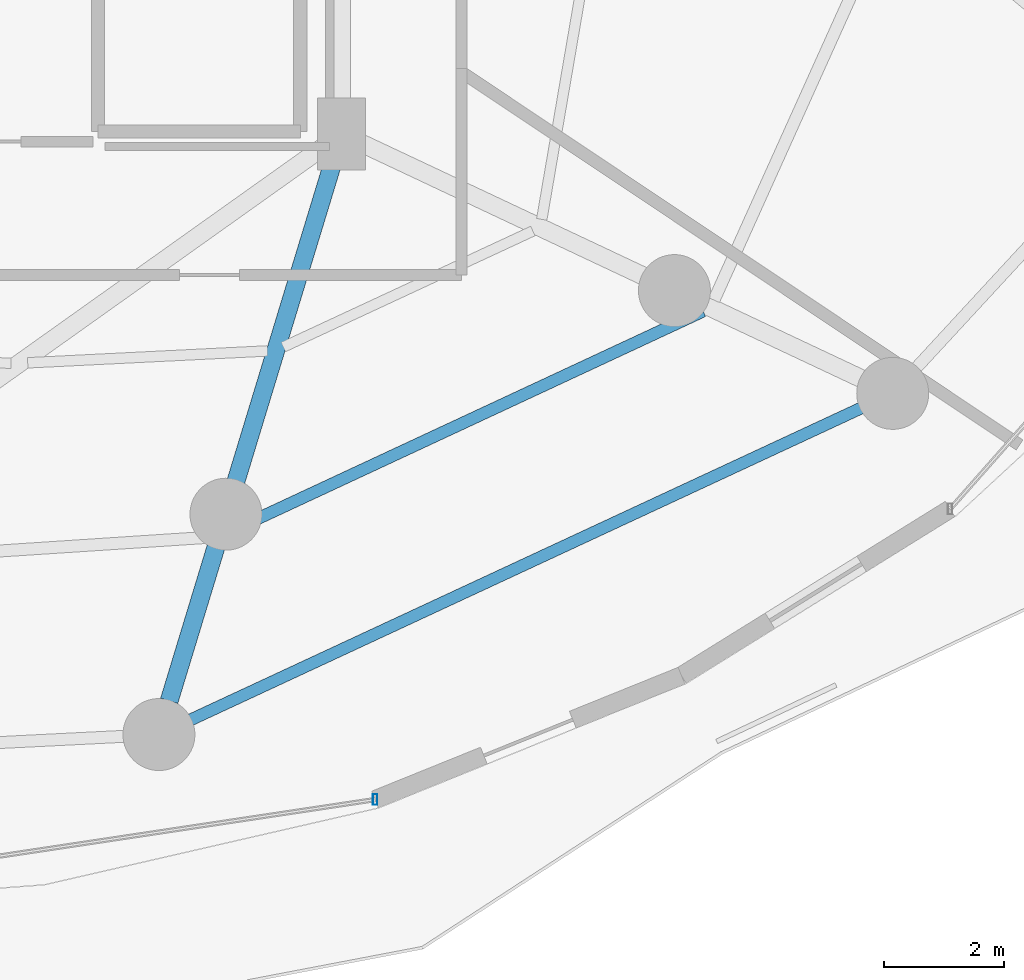
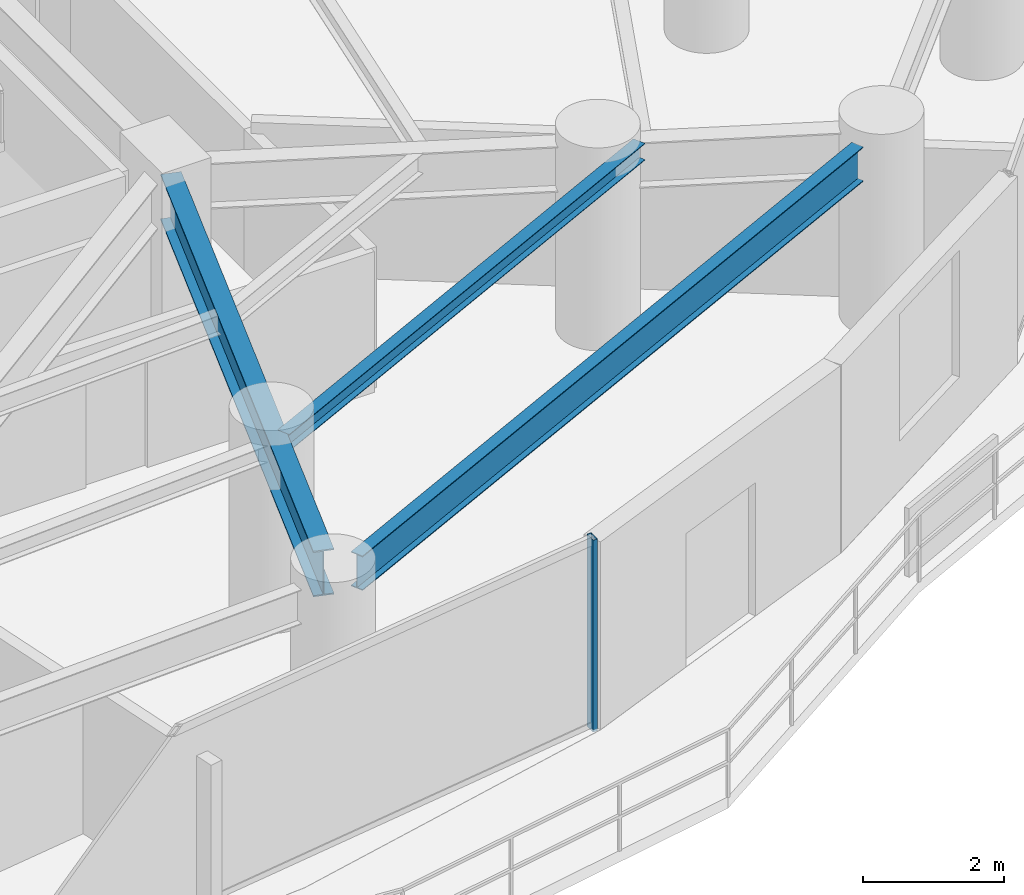
# One storey, part 12 of 34: 3 beams, 1 member, 1 element without a shape of its own.
"""IFC4 building model written with IfcOpenShell, lengths in metres."""

import ifcopenshell
import ifcopenshell.guid

model = None  # the IFC model being written
_history = None  # IfcOwnerHistory: only IFC2X3 demands one
_inside = {}  # id of a spatial element -> (the spatial element, [elements in it])
_under = {}  # id of a project, library or spatial element -> (it, [spatial elements below it])
_declared = {}  # id of a project -> (the project, [libraries it declares])
_typed = {}  # id of a type object -> (the type object, [elements of that type])
_made_of = {}  # id of a material, layer set ... -> (it, [elements and type objects made of it])


def new_model(schema):
    """Start an empty IFC model of exactly this schema.

    Asked for "IFC4X3", IfcOpenShell would pick the latest addendum, in which some entities
    have other attributes; the version numbers below select the first issue.
    IFC2X3 requires an IfcOwnerHistory on every rooted entity: one is made here for all.
    """
    global model, _history
    if schema == "IFC4X3":
        model = ifcopenshell.file(schema_version=(4, 3, 0, 0))
    else:
        model = ifcopenshell.file(schema=schema)
    _inside.clear()
    _under.clear()
    _declared.clear()
    _typed.clear()
    _made_of.clear()
    _history = None
    if model.schema == "IFC2X3":
        org = make("IfcOrganization", Name="unknown")
        user = make(
            "IfcPersonAndOrganization",
            ThePerson=make("IfcPerson", FamilyName="unknown"),
            TheOrganization=org,
        )
        app = make(
            "IfcApplication",
            ApplicationDeveloper=org,
            Version="unknown",
            ApplicationFullName="unknown",
            ApplicationIdentifier="unknown",
        )
        _history = make(
            "IfcOwnerHistory",
            OwningUser=user,
            OwningApplication=app,
            ChangeAction="ADDED",
            CreationDate=0,
        )
    return model


def make(cls, **values):
    """One entity of the class cls with the attributes given. An attribute that is None is left unset."""
    return model.create_entity(
        cls, **{name: value for name, value in values.items() if value is not None}
    )


def rooted(cls, **values):
    """An entity with a GlobalId (a new one), such as an element, a storey or a relation."""
    return make(cls, GlobalId=ifcopenshell.guid.new(), OwnerHistory=_history, **values)


def si_unit(unit_type, name, prefix=None):
    """IfcSIUnit, for example si_unit("LENGTHUNIT", "METRE", prefix="MILLI")."""
    return make("IfcSIUnit", UnitType=unit_type, Prefix=prefix, Name=name)


def assignment(units):
    """IfcUnitAssignment: the units of a project."""
    return None if units is None else make("IfcUnitAssignment", Units=units)


def point(xyz):
    """IfcCartesianPoint."""
    return None if xyz is None else make("IfcCartesianPoint", Coordinates=xyz)


def direction(xyz):
    """IfcDirection."""
    return None if xyz is None else make("IfcDirection", DirectionRatios=xyz)


def frame(location, z_axis=None, x_axis=None):
    """IfcAxis2Placement3D, a coordinate frame: its origin and axes. An axis left out is left unset."""
    return make(
        "IfcAxis2Placement3D",
        Location=point(location),
        Axis=direction(z_axis),
        RefDirection=direction(x_axis),
    )


def frame_2d(location, x_axis=None):
    """IfcAxis2Placement2D, a coordinate frame in the plane: its origin and x axis."""
    return make(
        "IfcAxis2Placement2D", Location=point(location), RefDirection=direction(x_axis)
    )


def origin():
    """The frame at (0, 0, 0) with its axes left unset."""
    return frame((0.0, 0.0, 0.0))


def origin_2d():
    """The frame at (0, 0) in the plane with its x axis left unset."""
    return frame_2d((0.0, 0.0))


def place(relative_to, where):
    """IfcLocalPlacement: puts the frame where relative to a parent placement (None: the world)."""
    return make(
        "IfcLocalPlacement", PlacementRelTo=relative_to, RelativePlacement=where
    )


def context(
    kind, dimensions, precision=None, world=None, true_north=None, identifier=None
):
    """IfcGeometricRepresentationContext, for example the 3D "Model" context."""
    return make(
        "IfcGeometricRepresentationContext",
        ContextIdentifier=identifier,
        ContextType=kind,
        CoordinateSpaceDimension=dimensions,
        Precision=precision,
        WorldCoordinateSystem=world,
        TrueNorth=true_north,
    )


def subcontext(parent, identifier, kind, view, scale=None):
    """IfcGeometricRepresentationSubContext, for example "Body" below "Model"."""
    return make(
        "IfcGeometricRepresentationSubContext",
        ContextIdentifier=identifier,
        ContextType=kind,
        ParentContext=parent,
        TargetScale=scale,
        TargetView=view,
    )


def project(units=None, contexts=None):
    """IfcProject with its units and contexts."""
    return rooted(
        "IfcProject",
        Name="project",
        RepresentationContexts=contexts,
        UnitsInContext=assignment(units),
    )


def spatial(cls, under=None, at=None, **own):
    """A site, building, storey or space (cls), placed at a placement, below another one or the project."""
    s = rooted(cls, ObjectPlacement=at, **own)
    if under is not None:
        _under.setdefault(under.id(), (under, []))[1].append(s)
    return s


def profile(cls, at=None, kind="AREA", **sizes):
    """A parametric profile (cls). Its sizes go by their IFC names, for example OverallWidth=200.0."""
    return make(cls, ProfileType=kind, Position=at, **sizes)


def hollow_rectangle(**sizes):
    """IfcRectangleHollowProfileDef."""
    return profile("IfcRectangleHollowProfileDef", **sizes)


def i_section(**sizes):
    """IfcIShapeProfileDef."""
    return profile("IfcIShapeProfileDef", **sizes)


def extrude(swept, where, along, depth):
    """IfcExtrudedAreaSolid: the profile swept, set in the frame where, extruded along a direction by depth."""
    return make(
        "IfcExtrudedAreaSolid",
        SweptArea=swept,
        Position=where,
        ExtrudedDirection=direction(along),
        Depth=depth,
    )


def shape(context_of_items, identifier, shape_type, items):
    """IfcShapeRepresentation: the items that make up one representation, for example the "Body"."""
    return make(
        "IfcShapeRepresentation",
        ContextOfItems=context_of_items,
        RepresentationIdentifier=identifier,
        RepresentationType=shape_type,
        Items=items,
    )


def material(Name=None, Category=None):
    """IfcMaterial."""
    return make("IfcMaterial", Name=Name, Category=Category)


def material_profile(
    of_material, cross_section, Name=None, Category=None, Priority=None
):
    """IfcMaterialProfile: a cross section and its material."""
    return make(
        "IfcMaterialProfile",
        Name=Name,
        Material=of_material,
        Profile=cross_section,
        Priority=Priority,
        Category=Category,
    )


def profile_set(profiles, Name=None, composite=None):
    """IfcMaterialProfileSet."""
    return make(
        "IfcMaterialProfileSet",
        Name=Name,
        MaterialProfiles=profiles,
        CompositeProfile=composite,
    )


def made_of(thing, what):
    """Note that an element or type object is made of a material, layer set ...; save() writes the relation."""
    if what is not None:
        _made_of.setdefault(what.id(), (what, []))[1].append(thing)
    return thing


def type_object(cls, material=None, **own):
    """A type object (cls), such as IfcWallType, which elements share."""
    return made_of(rooted(cls, **own), material)


def element(
    cls,
    number,
    at=None,
    inside=None,
    cuts=None,
    type_object=None,
    material=None,
    context=None,
    identifier="Body",
    shape_type=None,
    held_by="IfcProductDefinitionShape",
    body=None,
    shapes=None,
    **own,
):
    """One element of the class cls, such as IfcWall. Its Tag is "e" and its number.

    at: its placement. inside: the storey or other place that contains it. cuts: it is an
    opening in that element (IfcRelVoidsElement). A single representation is given by context,
    identifier, shape_type and body (its items); several are given by shapes. held_by: the class
    of the entity that holds the representations. save() writes the other relations.
    """
    e = rooted(cls, Tag="e%d" % number, ObjectPlacement=at, **own)
    if body is not None:
        shapes = [shape(context, identifier, shape_type, body)]
    if shapes is not None:
        e.Representation = make(held_by, Representations=shapes)
    if inside is not None:
        _inside.setdefault(inside.id(), (inside, []))[1].append(e)
    if cuts is not None:
        rooted(
            "IfcRelVoidsElement", RelatingBuildingElement=cuts, RelatedOpeningElement=e
        )
    if type_object is not None:
        _typed.setdefault(type_object.id(), (type_object, []))[1].append(e)
    return made_of(e, material)


def aggregate(whole, parts):
    """IfcRelAggregates: a whole, such as a stair, and the parts it consists of."""
    return rooted("IfcRelAggregates", RelatingObject=whole, RelatedObjects=parts)


def save(model, path):
    """Write the relations noted so far, then the file.

    IfcRelAggregates (storeys below a building ...), IfcRelContainedInSpatialStructure (elements
    in a storey), IfcRelDefinesByType, IfcRelAssociatesMaterial and IfcRelDeclares: one each for
    every whole, place, type object, material and project.
    """
    for whole, parts in _under.values():
        aggregate(whole, parts)
    for where, things in _inside.values():
        rooted(
            "IfcRelContainedInSpatialStructure",
            RelatedElements=things,
            RelatingStructure=where,
        )
    for kind, things in _typed.values():
        rooted("IfcRelDefinesByType", RelatedObjects=things, RelatingType=kind)
    for what, things in _made_of.values():
        rooted("IfcRelAssociatesMaterial", RelatedObjects=things, RelatingMaterial=what)
    for by, libraries in _declared.values():
        rooted("IfcRelDeclares", RelatingContext=by, RelatedDefinitions=libraries)
    model.write(path)


model = new_model("IFC4")

# Units and contexts
model_context = context("Model", 3, precision=1e-05, world=origin(), true_north=direction((0.0, 1.0)))
body_context = subcontext(model_context, "Body", "Model", "MODEL_VIEW")
ifc_project = project(units=[si_unit("LENGTHUNIT", "METRE"), si_unit("AREAUNIT", "SQUARE_METRE"), si_unit("VOLUMEUNIT", "CUBIC_METRE"), si_unit("PLANEANGLEUNIT", "RADIAN"), si_unit("MASSUNIT", "GRAM", prefix="KILO")], contexts=[model_context])

# Site, building, storey
site_placement = place(None, origin())
site = spatial("IfcSite", under=ifc_project, at=site_placement, CompositionType="ELEMENT")
building_placement = place(site_placement, origin())
building = spatial("IfcBuilding", under=site, at=building_placement, Name="Vorneva Point Tower", CompositionType="ELEMENT")
storey_placement = place(building_placement, frame((0.0, 0.0, 62.5)))
storey = spatial("IfcBuildingStorey", under=building, at=storey_placement, Name="L16", CompositionType="ELEMENT", Elevation=62.5)

# Beams
ifc_material_1 = material(Name="Steel S355", Category="steel")
ifc_material_profile_1 = material_profile(ifc_material_1, i_section(OverallWidth=0.300048828125, OverallDepth=0.7880859375, WebThickness=0.014404296875, FlangeThickness=0.02197265625, at=origin_2d()), Name="80Sh1")
ifc_profile_set_1 = profile_set([ifc_material_profile_1], Name="Steel S355")
beam_type_1 = type_object("IfcBeamType", Name="BM-GRD-80Sh1", PredefinedType="USERDEFINED", material=ifc_profile_set_1)
beam_1_placement = place(storey_placement, frame((45.874267578125, 6.997802734375, 2.845947265625), z_axis=(0.29105061459, 0.956707656365, 0.0), x_axis=(-0.956707656365, 0.29105061459, 0.0)))
element("IfcBeam", 1, at=beam_1_placement, inside=storey, type_object=beam_type_1, Name="L16 Radial Primary Girder 14", ObjectType="GIRDER", PredefinedType="USERDEFINED", context=body_context, shape_type="SweptSolid", body=[
    extrude(i_section(OverallWidth=0.300048828125, OverallDepth=0.7880859375, WebThickness=0.014404296875, FlangeThickness=0.02197265625, at=origin_2d()), origin(), (0.0, 0.0, 1.0), 9.5400390625),
])
ifc_material_profile_2 = material_profile(ifc_material_1, i_section(OverallWidth=0.199951171875, OverallDepth=0.291015625, WebThickness=0.008056640625, FlangeThickness=0.010986328125, at=origin_2d()), Name="30Sh1")
ifc_profile_set_2 = profile_set([ifc_material_profile_2], Name="Steel S355")
beam_type_2 = type_object("IfcBeamType", Name="BM-SEC-30Sh1", PredefinedType="BEAM", material=ifc_profile_set_2)
beam_2_placement = place(storey_placement, frame((46.832275390625, 9.794189453125, 3.094482421875), z_axis=(0.906447691893, 0.422318105061, 0.0), x_axis=(-0.422318105061, 0.906447691893, 0.0)))
element("IfcBeam", 2, at=beam_2_placement, inside=storey, type_object=beam_type_2, Name="L16 Secondary Floor Beam 1.14", PredefinedType="BEAM", context=body_context, shape_type="SweptSolid", body=[
    extrude(i_section(OverallWidth=0.199951171875, OverallDepth=0.291015625, WebThickness=0.008056640625, FlangeThickness=0.010986328125, at=origin_2d()), origin(), (0.0, 0.0, 1.0), 8.764404296875),
])
ifc_material_profile_3 = material_profile(ifc_material_1, i_section(OverallWidth=0.198974609375, OverallDepth=0.595947265625, WebThickness=0.010009765625, FlangeThickness=0.014892578125, at=origin_2d()), Name="60B1")
ifc_profile_set_3 = profile_set([ifc_material_profile_3], Name="Steel S355")
beam_type_3 = type_object("IfcBeamType", Name="BM-SPN-60B1", PredefinedType="SPANDREL", material=ifc_profile_set_3)
beam_3_placement = place(storey_placement, frame((46.233642578125, 6.681884765625, 2.94189453125), z_axis=(0.906772901024, 0.421619385191, 0.0), x_axis=(-0.421619385191, 0.906772901024, 0.0)))
element("IfcBeam", 3, at=beam_3_placement, inside=storey, type_object=beam_type_3, Name="L16 Perimeter Spandrel Ring Beam 14", PredefinedType="SPANDREL", context=body_context, shape_type="SweptSolid", body=[
    extrude(i_section(OverallWidth=0.198974609375, OverallDepth=0.595947265625, WebThickness=0.010009765625, FlangeThickness=0.014892578125, at=origin_2d()), origin(), (0.0, 0.0, 1.0), 12.323486328125),
])

# Curtain wall, member
ifc_material_2 = material(Name="Pale anodised aluminium", Category="aluminium")
curtain_wall_type = type_object("IfcCurtainWallType", Name="CW-HTL-SYS", PredefinedType="NOTDEFINED", material=ifc_material_2)
curtain_wall_placement = place(storey_placement, origin())
curtain_wall = element("IfcCurtainWall", 4, at=curtain_wall_placement, inside=storey, type_object=curtain_wall_type, Name="L16 Unitised Curtain Wall CW-L16-R04", PredefinedType="NOTDEFINED")
ifc_material_profile_4 = material_profile(ifc_material_2, hollow_rectangle(XDim=0.074951171875, YDim=0.179931640625, WallThickness=0.00390625, at=origin_2d()), Name="AL-MUL 180x75x4")
ifc_profile_set_4 = profile_set([ifc_material_profile_4], Name="Pale anodised aluminium")
member_type = type_object("IfcMemberType", Name="CW-MUL-180", PredefinedType="MULLION", material=ifc_profile_set_4)
member_placement = place(storey_placement, frame((49.308349609375, 5.351318359375, -0.0400390625), z_axis=(0.0, 0.0, 1.0), x_axis=(1.0, 0.0, 0.0)))
member = element("IfcMember", 5, at=member_placement, type_object=member_type, Name="CW-L16-R04 Mullion 04", PredefinedType="MULLION", context=body_context, shape_type="SweptSolid", body=[
    extrude(hollow_rectangle(XDim=0.074951171875, YDim=0.179931640625, WallThickness=0.00390625, at=origin_2d()), origin(), (0.0, 0.0, 1.0), 3.31005859375),
])
aggregate(curtain_wall, [member])

save(model, "model.ifc")
